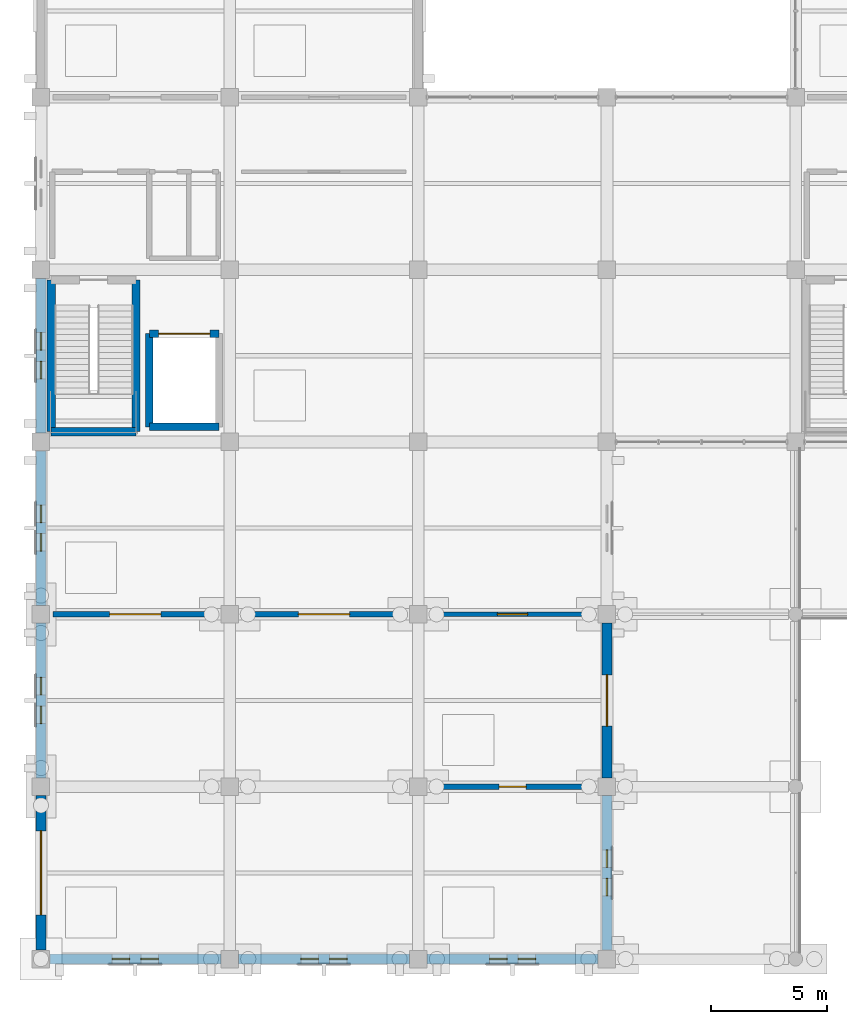
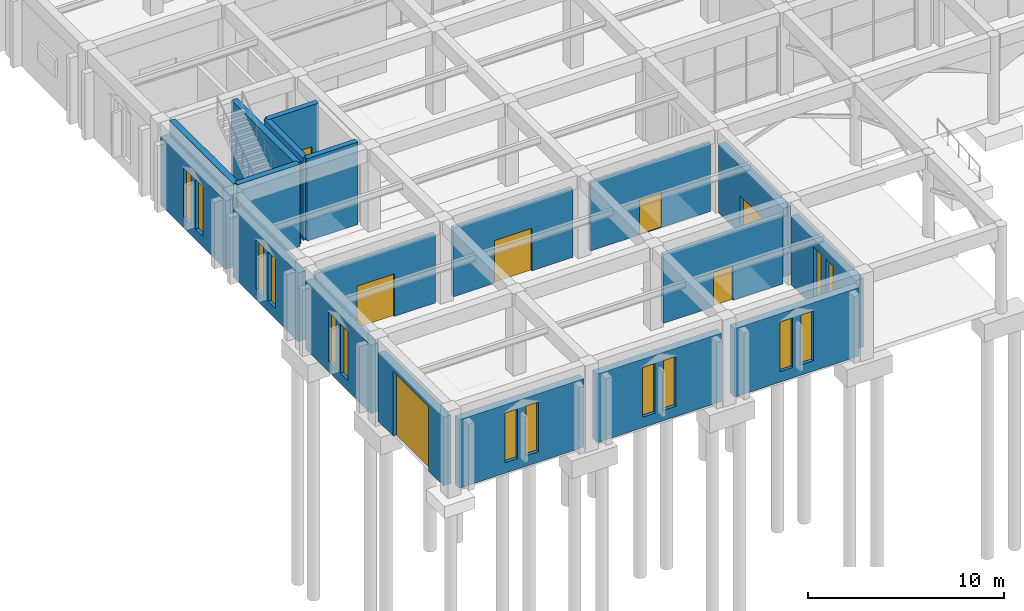
# One storey, part 121 of 140: 19 walls, 14 windows, 7 doors, 21 openings.
"""IFC4 building model written with IfcOpenShell, lengths in metres."""

from ifc_helpers import new_model, si_unit, direction, frame, frame_2d, origin, place, context, subcontext, project, spatial, rectangle, extrude, material, layer, layer_set, type_object, element, fill, save


model = new_model("IFC4")

# Units and contexts
model_context = context("Model", 3, precision=1e-05, world=origin(), true_north=direction((0.0, 1.0)))
body_context = subcontext(model_context, "Body", "Model", "MODEL_VIEW")
ifc_project = project(units=[si_unit("LENGTHUNIT", "METRE"), si_unit("AREAUNIT", "SQUARE_METRE"), si_unit("VOLUMEUNIT", "CUBIC_METRE"), si_unit("PLANEANGLEUNIT", "RADIAN"), si_unit("MASSUNIT", "GRAM", prefix="KILO")], contexts=[model_context])

# Site, building, storey
site_placement = place(None, origin())
site = spatial("IfcSite", under=ifc_project, at=site_placement, CompositionType="ELEMENT")
building_placement = place(site_placement, origin())
building = spatial("IfcBuilding", under=site, at=building_placement, Name="Cimatlan Art Gallery", CompositionType="ELEMENT")
storey_placement = place(building_placement, origin())
storey = spatial("IfcBuildingStorey", under=building, at=storey_placement, Name="L00", CompositionType="ELEMENT", Elevation=0.0)

# Walls
ifc_material_1 = material(Name="Concrete C40/50", Category="concrete")
ifc_layer_1 = layer(ifc_material_1, 0.31005859375)
ifc_layer_set_1 = layer_set([ifc_layer_1], Name="Concrete C40/50")
wall_type_1 = type_object("IfcWallType", Name="W-CORE-310", PredefinedType="SHEAR", material=ifc_layer_set_1)
wall_1_placement = place(storey_placement, frame((6.64990234375, 24.550048828125, 0.0), z_axis=(0.0, 0.0, 1.0), x_axis=(0.0, 1.0, 0.0)))
element("IfcWall", 1, at=wall_1_placement, inside=storey, type_object=wall_type_1, Name="WL-SHFT-C1-L00-LW", PredefinedType="SHEAR", context=body_context, shape_type="SweptSolid", body=[
    extrude(rectangle(XDim=4.0, YDim=0.31005859375, at=frame_2d((2.0, 0.0))), origin(), (0.0, 0.0, 1.0), 5.1298828125),
])
wall_2_placement = place(storey_placement, frame((6.64990234375, 24.550048828125, 0.0), z_axis=(0.0, 0.0, 1.0), x_axis=(1.0, 0.0, 0.0)))
element("IfcWall", 2, at=wall_2_placement, inside=storey, type_object=wall_type_1, Name="WL-SHFT-C1-L00-LS", PredefinedType="SHEAR", context=body_context, shape_type="SweptSolid", body=[
    extrude(rectangle(XDim=3.0, YDim=0.31005859375, at=frame_2d((1.5, 0.0))), origin(), (0.0, 0.0, 1.0), 5.1298828125),
])

# Wall, opening, door
wall_3_placement = place(storey_placement, frame((6.64990234375, 28.550048828125, 0.0), z_axis=(0.0, 0.0, 1.0), x_axis=(1.0, 0.0, 0.0)))
wall_3 = element("IfcWall", 3, at=wall_3_placement, inside=storey, type_object=wall_type_1, Name="WL-SHFT-C1-L00-LN", PredefinedType="SHEAR", context=body_context, shape_type="SweptSolid", body=[
    extrude(rectangle(XDim=3.0, YDim=0.31005859375, at=frame_2d((1.5, 0.0))), origin(), (0.0, 0.0, 1.0), 5.1298828125),
])
opening_1_placement = place(wall_3_placement, frame((0.39990234375, 0.0, 0.0)))
opening_1 = element("IfcOpeningElement", 4, at=opening_1_placement, cuts=wall_3, Name="Opening LD-C1-L00", PredefinedType="OPENING", context=body_context, shape_type="SweptSolid", body=[
    extrude(rectangle(XDim=2.199951171875, YDim=2.550048828125, at=frame_2d((1.10009765625, 1.27490234375))), frame((0.0, 0.1650390625, 0.0), z_axis=(0.0, -1.0, 0.0), x_axis=(1.0, 0.0, 0.0)), (0.0, 0.0, 1.0), 0.330078125),
])
ifc_material_2 = material(Name="Heavy-duty bi-parting goods lift landing door")
door_type_1 = type_object("IfcDoorType", Name="LD-GD-2200", OperationType="NOTDEFINED", PredefinedType="DOOR", material=ifc_material_2)
door_1_placement = place(opening_1_placement, origin())
door_1 = element("IfcDoor", 5, at=door_1_placement, inside=storey, type_object=door_type_1, Name="LD-GL-01-L00", OperationType="SLIDING_TO_RIGHT", OverallHeight=2.550048828125, OverallWidth=2.199951171875, PredefinedType="DOOR", context=body_context, shape_type="SweptSolid", body=[
    extrude(rectangle(XDim=2.199951171875, YDim=2.550048828125, at=frame_2d((1.10009765625, 1.27490234375))), frame((0.0, 0.02490234375, 0.0), z_axis=(0.0, -1.0, 0.0), x_axis=(1.0, 0.0, 0.0)), (0.0, 0.0, 1.0), 0.050048828125),
])
fill(opening_1, door_1)

# Walls
ifc_layer_2 = layer(ifc_material_1, 0.35009765625)
ifc_layer_set_2 = layer_set([ifc_layer_2], Name="Concrete C40/50")
wall_type_2 = type_object("IfcWallType", Name="W-CORE-350", PredefinedType="SHEAR", material=ifc_layer_set_2)
wall_4_placement = place(storey_placement, frame((2.43994140625, 24.340087890625, 0.0), z_axis=(0.0, 0.0, 1.0), x_axis=(0.0, 1.0, 0.0)))
element("IfcWall", 6, at=wall_4_placement, inside=storey, type_object=wall_type_2, Name="WL-CORE-C1-L00-SW", PredefinedType="SHEAR", context=body_context, shape_type="SweptSolid", body=[
    extrude(rectangle(XDim=6.52001953125, YDim=0.35009765625, at=frame_2d((3.260009765625, 0.0))), origin(), (0.0, 0.0, 1.0), 5.1298828125),
])
wall_5_placement = place(storey_placement, frame((2.43994140625, 24.340087890625, 0.0), z_axis=(0.0, 0.0, 1.0), x_axis=(1.0, 0.0, 0.0)))
element("IfcWall", 7, at=wall_5_placement, inside=storey, type_object=wall_type_2, Name="WL-CORE-C1-L00-SS", PredefinedType="SHEAR", context=body_context, shape_type="SweptSolid", body=[
    extrude(rectangle(XDim=3.64013671875, YDim=0.35009765625, at=frame_2d((1.820068359375, 0.0))), origin(), (0.0, 0.0, 1.0), 5.1298828125),
])
wall_6_placement = place(storey_placement, frame((6.080078125, 24.340087890625, 0.0), z_axis=(0.0, 0.0, 1.0), x_axis=(0.0, 1.0, 0.0)))
element("IfcWall", 8, at=wall_6_placement, inside=storey, type_object=wall_type_2, Name="WL-CORE-C1-L00-SE", PredefinedType="SHEAR", context=body_context, shape_type="SweptSolid", body=[
    extrude(rectangle(XDim=6.52001953125, YDim=0.35009765625, at=frame_2d((3.260009765625, 0.0))), origin(), (0.0, 0.0, 1.0), 5.1298828125),
])

# Wall, opening, door
ifc_material_3 = material(Name="Precast concrete C40/50", Category="concrete")
ifc_layer_3 = layer(ifc_material_3, 0.2451171875)
ifc_layer_set_3 = layer_set([ifc_layer_3], Name="Precast concrete C40/50")
wall_type_3 = type_object("IfcWallType", Name="W-FFL-245", PredefinedType="PARTITIONING", material=ifc_layer_set_3)
wall_7_placement = place(storey_placement, frame((2.52001953125, 16.5, 0.0), z_axis=(0.0, 0.0, 1.0), x_axis=(1.0, 0.0, 0.0)))
wall_7 = element("IfcWall", 9, at=wall_7_placement, inside=storey, type_object=wall_type_3, Name="WL-RM-L00-DCK-01", PredefinedType="PARTITIONING", context=body_context, shape_type="SweptSolid", body=[
    extrude(rectangle(XDim=7.06005859375, YDim=0.2451171875, at=frame_2d((3.530029296875, 0.0))), origin(), (0.0, 0.0, 1.0), 4.27490234375),
])
opening_2_placement = place(wall_7_placement, frame((2.429931640625, 0.0, 0.0)))
opening_2 = element("IfcOpeningElement", 10, at=opening_2_placement, cuts=wall_7, Name="Opening DI-0169", PredefinedType="OPENING", context=body_context, shape_type="SweptSolid", body=[
    extrude(rectangle(XDim=2.199951171875, YDim=2.64990234375, at=frame_2d((1.10009765625, 1.324951171875))), frame((0.0, 0.132568359375, 0.0), z_axis=(0.0, -1.0, 0.0), x_axis=(1.0, 0.0, 0.0)), (0.0, 0.0, 1.0), 0.26513671875),
])
ifc_material_4 = material(Name="Fire-resisting large-format art-store door")
door_type_2 = type_object("IfcDoorType", Name="FD-VL-2200", OperationType="NOTDEFINED", PredefinedType="DOOR", material=ifc_material_4)
door_2_placement = place(opening_2_placement, origin())
door_2 = element("IfcDoor", 11, at=door_2_placement, inside=storey, type_object=door_type_2, Name="DR-RM-L00-DCK-01", OperationType="SINGLE_SWING_LEFT", OverallHeight=2.64990234375, OverallWidth=2.199951171875, PredefinedType="DOOR", context=body_context, shape_type="SweptSolid", body=[
    extrude(rectangle(XDim=2.199951171875, YDim=2.64990234375, at=frame_2d((1.10009765625, 1.324951171875))), frame((0.0, 0.02490234375, 0.0), z_axis=(0.0, -1.0, 0.0), x_axis=(1.0, 0.0, 0.0)), (0.0, 0.0, 1.0), 0.050048828125),
])
fill(opening_2, door_2)

wall_8_placement = place(storey_placement, frame((18.719970703125, 9.10009765625, 0.0), z_axis=(0.0, 0.0, 1.0), x_axis=(1.0, 0.0, 0.0)))
wall_8 = element("IfcWall", 12, at=wall_8_placement, inside=storey, type_object=wall_type_3, Name="WL-RM-L00-FCC-01", PredefinedType="PARTITIONING", context=body_context, shape_type="SweptSolid", body=[
    extrude(rectangle(XDim=7.06005859375, YDim=0.2451171875, at=frame_2d((3.530029296875, 0.0))), origin(), (0.0, 0.0, 1.0), 4.27490234375),
])
opening_3_placement = place(wall_8_placement, frame((2.955078125, 0.0, 0.0)))
opening_3 = element("IfcOpeningElement", 13, at=opening_3_placement, cuts=wall_8, Name="Opening DI-0170", PredefinedType="OPENING", context=body_context, shape_type="SweptSolid", body=[
    extrude(rectangle(XDim=1.14990234375, YDim=2.14990234375, at=frame_2d((0.574951171875, 1.074951171875))), frame((0.0, 0.132568359375, 0.0), z_axis=(0.0, -1.0, 0.0), x_axis=(1.0, 0.0, 0.0)), (0.0, 0.0, 1.0), 0.26513671875),
])
ifc_material_5 = material(Name="Fire-resisting fire-command and plant door")
door_type_3 = type_object("IfcDoorType", Name="FD-FC-1150", OperationType="NOTDEFINED", PredefinedType="DOOR", material=ifc_material_5)
door_3_placement = place(opening_3_placement, origin())
door_3 = element("IfcDoor", 14, at=door_3_placement, inside=storey, type_object=door_type_3, Name="DR-RM-L00-FCC-01", OperationType="SINGLE_SWING_RIGHT", OverallHeight=2.14990234375, OverallWidth=1.14990234375, PredefinedType="DOOR", context=body_context, shape_type="SweptSolid", body=[
    extrude(rectangle(XDim=1.14990234375, YDim=2.14990234375, at=frame_2d((0.574951171875, 1.074951171875))), frame((0.0, 0.02490234375, 0.0), z_axis=(0.0, -1.0, 0.0), x_axis=(1.0, 0.0, 0.0)), (0.0, 0.0, 1.0), 0.050048828125),
])
fill(opening_3, door_3)

wall_9_placement = place(storey_placement, frame((10.6201171875, 16.5, 0.0), z_axis=(0.0, 0.0, 1.0), x_axis=(1.0, 0.0, 0.0)))
wall_9 = element("IfcWall", 15, at=wall_9_placement, inside=storey, type_object=wall_type_3, Name="WL-RM-L00-QRN-01", PredefinedType="PARTITIONING", context=body_context, shape_type="SweptSolid", body=[
    extrude(rectangle(XDim=7.059814453125, YDim=0.2451171875, at=frame_2d((3.52978515625, 0.0))), origin(), (0.0, 0.0, 1.0), 4.27490234375),
])
opening_4_placement = place(wall_9_placement, frame((2.429931640625, 0.0, 0.0)))
opening_4 = element("IfcOpeningElement", 16, at=opening_4_placement, cuts=wall_9, Name="Opening DI-0171", PredefinedType="OPENING", context=body_context, shape_type="SweptSolid", body=[
    extrude(rectangle(XDim=2.199951171875, YDim=2.64990234375, at=frame_2d((1.10009765625, 1.324951171875))), frame((0.0, 0.132568359375, 0.0), z_axis=(0.0, -1.0, 0.0), x_axis=(1.0, 0.0, 0.0)), (0.0, 0.0, 1.0), 0.26513671875),
])
door_4_placement = place(opening_4_placement, origin())
door_4 = element("IfcDoor", 17, at=door_4_placement, inside=storey, type_object=door_type_2, Name="DR-RM-L00-QRN-01", OperationType="SINGLE_SWING_LEFT", OverallHeight=2.64990234375, OverallWidth=2.199951171875, PredefinedType="DOOR", context=body_context, shape_type="SweptSolid", body=[
    extrude(rectangle(XDim=2.199951171875, YDim=2.64990234375, at=frame_2d((1.10009765625, 1.324951171875))), frame((0.0, 0.02490234375, 0.0), z_axis=(0.0, -1.0, 0.0), x_axis=(1.0, 0.0, 0.0)), (0.0, 0.0, 1.0), 0.050048828125),
])
fill(opening_4, door_4)

ifc_material_6 = material(Name="Acoustic gypsum and steel stud partition", Category="steel")
ifc_layer_4 = layer(ifc_material_6, 0.179931640625)
ifc_layer_set_4 = layer_set([ifc_layer_4], Name="Acoustic gypsum and steel stud partition")
wall_type_4 = type_object("IfcWallType", Name="W-STD-180", PredefinedType="PARTITIONING", material=ifc_layer_set_4)
wall_10_placement = place(storey_placement, frame((18.719970703125, 16.5, 0.0), z_axis=(0.0, 0.0, 1.0), x_axis=(1.0, 0.0, 0.0)))
wall_10 = element("IfcWall", 18, at=wall_10_placement, inside=storey, type_object=wall_type_4, Name="WL-RM-L00-CNS-SW", PredefinedType="PARTITIONING", context=body_context, shape_type="SweptSolid", body=[
    extrude(rectangle(XDim=7.06005859375, YDim=0.179931640625, at=frame_2d((3.530029296875, 0.0))), origin(), (0.0, 0.0, 1.0), 4.27490234375),
])
opening_5_placement = place(wall_10_placement, frame((2.8798828125, 0.0, 0.0)))
opening_5 = element("IfcOpeningElement", 19, at=opening_5_placement, cuts=wall_10, Name="Opening DI-0172", PredefinedType="OPENING", context=body_context, shape_type="SweptSolid", body=[
    extrude(rectangle(XDim=1.300048828125, YDim=2.199951171875, at=frame_2d((0.64990234375, 1.10009765625))), frame((0.0, 0.10009765625, 0.0), z_axis=(0.0, -1.0, 0.0), x_axis=(1.0, 0.0, 0.0)), (0.0, 0.0, 1.0), 0.199951171875),
])
ifc_material_7 = material(Name="Conservation laboratory double-leaf door")
door_type_4 = type_object("IfcDoorType", Name="DI-CN-1300", OperationType="NOTDEFINED", PredefinedType="DOOR", material=ifc_material_7)
door_5_placement = place(opening_5_placement, origin())
door_5 = element("IfcDoor", 20, at=door_5_placement, inside=storey, type_object=door_type_4, Name="DR-RM-L00-CNS-SW", OperationType="SINGLE_SWING_RIGHT", OverallHeight=2.199951171875, OverallWidth=1.300048828125, PredefinedType="DOOR", context=body_context, shape_type="SweptSolid", body=[
    extrude(rectangle(XDim=1.300048828125, YDim=2.199951171875, at=frame_2d((0.64990234375, 1.10009765625))), frame((0.0, 0.02490234375, 0.0), z_axis=(0.0, -1.0, 0.0), x_axis=(1.0, 0.0, 0.0)), (0.0, 0.0, 1.0), 0.050048828125),
])
fill(opening_5, door_5)

# Wall, openings, windows
ifc_layer_5 = layer(ifc_material_3, 0.43994140625)
ifc_layer_set_5 = layer_set([ifc_layer_5], Name="Precast concrete C40/50")
wall_type_5 = type_object("IfcWallType", Name="WL-EXT-CAN-440", PredefinedType="SOLIDWALL", material=ifc_layer_set_5)
wall_11_placement = place(storey_placement, frame((9.720947265625, 1.699951171875, 0.0), z_axis=(0.0, 0.0, 1.0), x_axis=(-1.0, 0.0, 0.0)))
wall_11 = element("IfcWall", 21, at=wall_11_placement, inside=storey, type_object=wall_type_5, Name="WL-EXT-L00-00-00-S", PredefinedType="SOLIDWALL", context=body_context, shape_type="SweptSolid", body=[
    extrude(rectangle(XDim=7.342041015625, YDim=0.43994140625, at=frame_2d((3.6708984375, 0.0))), origin(), (0.0, 0.0, 1.0), 4.27001953125),
])
opening_6_placement = place(wall_11_placement, frame((2.680908203125, 0.0, 0.64990234375)))
opening_6 = element("IfcOpeningElement", 22, at=opening_6_placement, cuts=wall_11, Name="Opening WN-0007", PredefinedType="OPENING", context=body_context, shape_type="SweptSolid", body=[
    extrude(rectangle(XDim=0.75, YDim=3.10009765625, at=frame_2d((0.375, 1.550048828125))), frame((0.0, 0.22998046875, 0.0), z_axis=(0.0, -1.0, 0.0), x_axis=(1.0, 0.0, 0.0)), (0.0, 0.0, 1.0), 0.4599609375),
])
opening_7_placement = place(wall_11_placement, frame((3.910888671875, 0.0, 0.64990234375)))
opening_7 = element("IfcOpeningElement", 23, at=opening_7_placement, cuts=wall_11, Name="Opening WN-0008", PredefinedType="OPENING", context=body_context, shape_type="SweptSolid", body=[
    extrude(rectangle(XDim=0.75, YDim=3.10009765625, at=frame_2d((0.375, 1.550048828125))), frame((0.0, 0.22998046875, 0.0), z_axis=(0.0, -1.0, 0.0), x_axis=(1.0, 0.0, 0.0)), (0.0, 0.0, 1.0), 0.4599609375),
])
ifc_material_8 = material(Name="Low-E laminated double glazing in bronze lancet frame", Category="glass")
window_type = type_object("IfcWindowType", Name="WIN-CNS-L00-0750X3100", PartitioningType="SINGLE_PANEL", PredefinedType="WINDOW", material=ifc_material_8)
window_1_placement = place(opening_6_placement, origin())
window_1 = element("IfcWindow", 24, at=window_1_placement, inside=storey, type_object=window_type, Name="WIN-0007", OverallHeight=3.10009765625, OverallWidth=0.75, PartitioningType="SINGLE_PANEL", PredefinedType="WINDOW", context=body_context, shape_type="SweptSolid", body=[
    extrude(rectangle(XDim=0.75, YDim=3.10009765625, at=frame_2d((0.375, 1.550048828125))), frame((0.0, 0.030029296875, 0.0), z_axis=(0.0, -1.0, 0.0), x_axis=(1.0, 0.0, 0.0)), (0.0, 0.0, 1.0), 0.06005859375),
])
fill(opening_6, window_1)
window_2_placement = place(opening_7_placement, origin())
window_2 = element("IfcWindow", 25, at=window_2_placement, inside=storey, type_object=window_type, Name="WIN-0008", OverallHeight=3.10009765625, OverallWidth=0.75, PartitioningType="SINGLE_PANEL", PredefinedType="WINDOW", context=body_context, shape_type="SweptSolid", body=[
    extrude(rectangle(XDim=0.75, YDim=3.10009765625, at=frame_2d((0.375, 1.550048828125))), frame((0.0, 0.030029296875, 0.0), z_axis=(0.0, -1.0, 0.0), x_axis=(1.0, 0.0, 0.0)), (0.0, 0.0, 1.0), 0.06005859375),
])
fill(opening_7, window_2)

# Wall, opening, door
wall_12_placement = place(storey_placement, frame((2.0, 2.0791015625, 0.0), z_axis=(0.0, 0.0, 1.0), x_axis=(0.0, 1.0, 0.0)))
wall_12 = element("IfcWall", 26, at=wall_12_placement, inside=storey, type_object=wall_type_5, Name="WL-EXT-L00-00-00-W", PredefinedType="SOLIDWALL", context=body_context, shape_type="SweptSolid", body=[
    extrude(rectangle(XDim=6.641845703125, YDim=0.43994140625, at=frame_2d((3.32080078125, 0.0))), origin(), (0.0, 0.0, 1.0), 4.27001953125),
])
opening_8_placement = place(wall_12_placement, frame((1.52099609375, 0.0, 0.0)))
opening_8 = element("IfcOpeningElement", 27, at=opening_8_placement, cuts=wall_12, Name="Opening D-L00-SH01", PredefinedType="OPENING", context=body_context, shape_type="SweptSolid", body=[
    extrude(rectangle(XDim=3.60009765625, YDim=4.02001953125, at=frame_2d((1.800048828125, 2.010009765625))), frame((0.0, 0.22998046875, 0.0), z_axis=(0.0, -1.0, 0.0), x_axis=(1.0, 0.0, 0.0)), (0.0, 0.0, 1.0), 0.4599609375),
])
ifc_material_9 = material(Name="Anodised bronze and laminated safety glass door", Category="glass")
door_type_5 = type_object("IfcDoorType", Name="DS-DK-3600", OperationType="NOTDEFINED", PredefinedType="DOOR", material=ifc_material_9)
door_6_placement = place(opening_8_placement, origin())
door_6 = element("IfcDoor", 28, at=door_6_placement, inside=storey, type_object=door_type_5, Name="D-L00-SH01", OperationType="ROLLINGUP", OverallHeight=4.02001953125, OverallWidth=3.60009765625, PredefinedType="DOOR", context=body_context, shape_type="SweptSolid", body=[
    extrude(rectangle(XDim=3.60009765625, YDim=4.02001953125, at=frame_2d((1.800048828125, 2.010009765625))), frame((0.0, 0.02490234375, 0.0), z_axis=(0.0, -1.0, 0.0), x_axis=(1.0, 0.0, 0.0)), (0.0, 0.0, 1.0), 0.050048828125),
])
fill(opening_8, door_6)

# Wall, openings, windows
wall_13_placement = place(storey_placement, frame((2.0, 9.47900390625, 0.0), z_axis=(0.0, 0.0, 1.0), x_axis=(0.0, 1.0, 0.0)))
wall_13 = element("IfcWall", 29, at=wall_13_placement, inside=storey, type_object=wall_type_5, Name="WL-EXT-L00-00-01-W", PredefinedType="SOLIDWALL", context=body_context, shape_type="SweptSolid", body=[
    extrude(rectangle(XDim=6.64208984375, YDim=0.43994140625, at=frame_2d((3.321044921875, 0.0))), origin(), (0.0, 0.0, 1.0), 4.27001953125),
])
opening_9_placement = place(wall_13_placement, frame((2.3310546875, 0.0, 0.64990234375)))
opening_9 = element("IfcOpeningElement", 30, at=opening_9_placement, cuts=wall_13, Name="Opening WN-0009", PredefinedType="OPENING", context=body_context, shape_type="SweptSolid", body=[
    extrude(rectangle(XDim=0.75, YDim=3.10009765625, at=frame_2d((0.375, 1.550048828125))), frame((0.0, 0.22998046875, 0.0), z_axis=(0.0, -1.0, 0.0), x_axis=(1.0, 0.0, 0.0)), (0.0, 0.0, 1.0), 0.4599609375),
])
opening_10_placement = place(wall_13_placement, frame((3.56103515625, 0.0, 0.64990234375)))
opening_10 = element("IfcOpeningElement", 31, at=opening_10_placement, cuts=wall_13, Name="Opening WN-0010", PredefinedType="OPENING", context=body_context, shape_type="SweptSolid", body=[
    extrude(rectangle(XDim=0.75, YDim=3.10009765625, at=frame_2d((0.375, 1.550048828125))), frame((0.0, 0.22998046875, 0.0), z_axis=(0.0, -1.0, 0.0), x_axis=(1.0, 0.0, 0.0)), (0.0, 0.0, 1.0), 0.4599609375),
])
window_3_placement = place(opening_9_placement, origin())
window_3 = element("IfcWindow", 32, at=window_3_placement, inside=storey, type_object=window_type, Name="WIN-0009", OverallHeight=3.10009765625, OverallWidth=0.75, PartitioningType="SINGLE_PANEL", PredefinedType="WINDOW", context=body_context, shape_type="SweptSolid", body=[
    extrude(rectangle(XDim=0.75, YDim=3.10009765625, at=frame_2d((0.375, 1.550048828125))), frame((0.0, 0.030029296875, 0.0), z_axis=(0.0, -1.0, 0.0), x_axis=(1.0, 0.0, 0.0)), (0.0, 0.0, 1.0), 0.06005859375),
])
fill(opening_9, window_3)
window_4_placement = place(opening_10_placement, origin())
window_4 = element("IfcWindow", 33, at=window_4_placement, inside=storey, type_object=window_type, Name="WIN-0010", OverallHeight=3.10009765625, OverallWidth=0.75, PartitioningType="SINGLE_PANEL", PredefinedType="WINDOW", context=body_context, shape_type="SweptSolid", body=[
    extrude(rectangle(XDim=0.75, YDim=3.10009765625, at=frame_2d((0.375, 1.550048828125))), frame((0.0, 0.030029296875, 0.0), z_axis=(0.0, -1.0, 0.0), x_axis=(1.0, 0.0, 0.0)), (0.0, 0.0, 1.0), 0.06005859375),
])
fill(opening_10, window_4)

wall_14_placement = place(storey_placement, frame((2.0, 16.87890625, 0.0), z_axis=(0.0, 0.0, 1.0), x_axis=(0.0, 1.0, 0.0)))
wall_14 = element("IfcWall", 34, at=wall_14_placement, inside=storey, type_object=wall_type_5, Name="WL-EXT-L00-00-02-W", PredefinedType="SOLIDWALL", context=body_context, shape_type="SweptSolid", body=[
    extrude(rectangle(XDim=6.64208984375, YDim=0.43994140625, at=frame_2d((3.321044921875, 0.0))), origin(), (0.0, 0.0, 1.0), 4.27001953125),
])
opening_11_placement = place(wall_14_placement, frame((2.3310546875, 0.0, 0.64990234375)))
opening_11 = element("IfcOpeningElement", 35, at=opening_11_placement, cuts=wall_14, Name="Opening WN-0011", PredefinedType="OPENING", context=body_context, shape_type="SweptSolid", body=[
    extrude(rectangle(XDim=0.75, YDim=3.10009765625, at=frame_2d((0.375, 1.550048828125))), frame((0.0, 0.22998046875, 0.0), z_axis=(0.0, -1.0, 0.0), x_axis=(1.0, 0.0, 0.0)), (0.0, 0.0, 1.0), 0.4599609375),
])
opening_12_placement = place(wall_14_placement, frame((3.56103515625, 0.0, 0.64990234375)))
opening_12 = element("IfcOpeningElement", 36, at=opening_12_placement, cuts=wall_14, Name="Opening WN-0012", PredefinedType="OPENING", context=body_context, shape_type="SweptSolid", body=[
    extrude(rectangle(XDim=0.75, YDim=3.10009765625, at=frame_2d((0.375, 1.550048828125))), frame((0.0, 0.22998046875, 0.0), z_axis=(0.0, -1.0, 0.0), x_axis=(1.0, 0.0, 0.0)), (0.0, 0.0, 1.0), 0.4599609375),
])
window_5_placement = place(opening_11_placement, origin())
window_5 = element("IfcWindow", 37, at=window_5_placement, inside=storey, type_object=window_type, Name="WIN-0011", OverallHeight=3.10009765625, OverallWidth=0.75, PartitioningType="SINGLE_PANEL", PredefinedType="WINDOW", context=body_context, shape_type="SweptSolid", body=[
    extrude(rectangle(XDim=0.75, YDim=3.10009765625, at=frame_2d((0.375, 1.550048828125))), frame((0.0, 0.030029296875, 0.0), z_axis=(0.0, -1.0, 0.0), x_axis=(1.0, 0.0, 0.0)), (0.0, 0.0, 1.0), 0.06005859375),
])
fill(opening_11, window_5)
window_6_placement = place(opening_12_placement, origin())
window_6 = element("IfcWindow", 38, at=window_6_placement, inside=storey, type_object=window_type, Name="WIN-0012", OverallHeight=3.10009765625, OverallWidth=0.75, PartitioningType="SINGLE_PANEL", PredefinedType="WINDOW", context=body_context, shape_type="SweptSolid", body=[
    extrude(rectangle(XDim=0.75, YDim=3.10009765625, at=frame_2d((0.375, 1.550048828125))), frame((0.0, 0.030029296875, 0.0), z_axis=(0.0, -1.0, 0.0), x_axis=(1.0, 0.0, 0.0)), (0.0, 0.0, 1.0), 0.06005859375),
])
fill(opening_12, window_6)

wall_15_placement = place(storey_placement, frame((2.0, 24.279052734375, 0.0), z_axis=(0.0, 0.0, 1.0), x_axis=(0.0, 1.0, 0.0)))
wall_15 = element("IfcWall", 39, at=wall_15_placement, inside=storey, type_object=wall_type_5, Name="WL-EXT-L00-00-03-W", PredefinedType="SOLIDWALL", context=body_context, shape_type="SweptSolid", body=[
    extrude(rectangle(XDim=6.641845703125, YDim=0.43994140625, at=frame_2d((3.32080078125, 0.0))), origin(), (0.0, 0.0, 1.0), 4.27001953125),
])
opening_13_placement = place(wall_15_placement, frame((2.3310546875, 0.0, 0.64990234375)))
opening_13 = element("IfcOpeningElement", 40, at=opening_13_placement, cuts=wall_15, Name="Opening WN-0013", PredefinedType="OPENING", context=body_context, shape_type="SweptSolid", body=[
    extrude(rectangle(XDim=0.75, YDim=3.10009765625, at=frame_2d((0.375, 1.550048828125))), frame((0.0, 0.22998046875, 0.0), z_axis=(0.0, -1.0, 0.0), x_axis=(1.0, 0.0, 0.0)), (0.0, 0.0, 1.0), 0.4599609375),
])
opening_14_placement = place(wall_15_placement, frame((3.56103515625, 0.0, 0.64990234375)))
opening_14 = element("IfcOpeningElement", 41, at=opening_14_placement, cuts=wall_15, Name="Opening WN-0014", PredefinedType="OPENING", context=body_context, shape_type="SweptSolid", body=[
    extrude(rectangle(XDim=0.75, YDim=3.10009765625, at=frame_2d((0.375, 1.550048828125))), frame((0.0, 0.22998046875, 0.0), z_axis=(0.0, -1.0, 0.0), x_axis=(1.0, 0.0, 0.0)), (0.0, 0.0, 1.0), 0.4599609375),
])
window_7_placement = place(opening_13_placement, origin())
window_7 = element("IfcWindow", 42, at=window_7_placement, inside=storey, type_object=window_type, Name="WIN-0013", OverallHeight=3.10009765625, OverallWidth=0.75, PartitioningType="SINGLE_PANEL", PredefinedType="WINDOW", context=body_context, shape_type="SweptSolid", body=[
    extrude(rectangle(XDim=0.75, YDim=3.10009765625, at=frame_2d((0.375, 1.550048828125))), frame((0.0, 0.030029296875, 0.0), z_axis=(0.0, -1.0, 0.0), x_axis=(1.0, 0.0, 0.0)), (0.0, 0.0, 1.0), 0.06005859375),
])
fill(opening_13, window_7)
window_8_placement = place(opening_14_placement, origin())
window_8 = element("IfcWindow", 43, at=window_8_placement, inside=storey, type_object=window_type, Name="WIN-0014", OverallHeight=3.10009765625, OverallWidth=0.75, PartitioningType="SINGLE_PANEL", PredefinedType="WINDOW", context=body_context, shape_type="SweptSolid", body=[
    extrude(rectangle(XDim=0.75, YDim=3.10009765625, at=frame_2d((0.375, 1.550048828125))), frame((0.0, 0.030029296875, 0.0), z_axis=(0.0, -1.0, 0.0), x_axis=(1.0, 0.0, 0.0)), (0.0, 0.0, 1.0), 0.06005859375),
])
fill(opening_14, window_8)

wall_16_placement = place(storey_placement, frame((17.821044921875, 1.699951171875, 0.0), z_axis=(0.0, 0.0, 1.0), x_axis=(-1.0, 0.0, 0.0)))
wall_16 = element("IfcWall", 44, at=wall_16_placement, inside=storey, type_object=wall_type_5, Name="WL-EXT-L00-01-00-S", PredefinedType="SOLIDWALL", context=body_context, shape_type="SweptSolid", body=[
    extrude(rectangle(XDim=7.342041015625, YDim=0.43994140625, at=frame_2d((3.6708984375, 0.0))), origin(), (0.0, 0.0, 1.0), 4.27001953125),
])
opening_15_placement = place(wall_16_placement, frame((2.680908203125, 0.0, 0.64990234375)))
opening_15 = element("IfcOpeningElement", 45, at=opening_15_placement, cuts=wall_16, Name="Opening WN-0023", PredefinedType="OPENING", context=body_context, shape_type="SweptSolid", body=[
    extrude(rectangle(XDim=0.75, YDim=3.10009765625, at=frame_2d((0.375, 1.550048828125))), frame((0.0, 0.22998046875, 0.0), z_axis=(0.0, -1.0, 0.0), x_axis=(1.0, 0.0, 0.0)), (0.0, 0.0, 1.0), 0.4599609375),
])
opening_16_placement = place(wall_16_placement, frame((3.910888671875, 0.0, 0.64990234375)))
opening_16 = element("IfcOpeningElement", 46, at=opening_16_placement, cuts=wall_16, Name="Opening WN-0024", PredefinedType="OPENING", context=body_context, shape_type="SweptSolid", body=[
    extrude(rectangle(XDim=0.75, YDim=3.10009765625, at=frame_2d((0.375, 1.550048828125))), frame((0.0, 0.22998046875, 0.0), z_axis=(0.0, -1.0, 0.0), x_axis=(1.0, 0.0, 0.0)), (0.0, 0.0, 1.0), 0.4599609375),
])
window_9_placement = place(opening_15_placement, origin())
window_9 = element("IfcWindow", 47, at=window_9_placement, inside=storey, type_object=window_type, Name="WIN-0023", OverallHeight=3.10009765625, OverallWidth=0.75, PartitioningType="SINGLE_PANEL", PredefinedType="WINDOW", context=body_context, shape_type="SweptSolid", body=[
    extrude(rectangle(XDim=0.75, YDim=3.10009765625, at=frame_2d((0.375, 1.550048828125))), frame((0.0, 0.030029296875, 0.0), z_axis=(0.0, -1.0, 0.0), x_axis=(1.0, 0.0, 0.0)), (0.0, 0.0, 1.0), 0.06005859375),
])
fill(opening_15, window_9)
window_10_placement = place(opening_16_placement, origin())
window_10 = element("IfcWindow", 48, at=window_10_placement, inside=storey, type_object=window_type, Name="WIN-0024", OverallHeight=3.10009765625, OverallWidth=0.75, PartitioningType="SINGLE_PANEL", PredefinedType="WINDOW", context=body_context, shape_type="SweptSolid", body=[
    extrude(rectangle(XDim=0.75, YDim=3.10009765625, at=frame_2d((0.375, 1.550048828125))), frame((0.0, 0.030029296875, 0.0), z_axis=(0.0, -1.0, 0.0), x_axis=(1.0, 0.0, 0.0)), (0.0, 0.0, 1.0), 0.06005859375),
])
fill(opening_16, window_10)

wall_17_placement = place(storey_placement, frame((25.9208984375, 1.699951171875, 0.0), z_axis=(0.0, 0.0, 1.0), x_axis=(-1.0, 0.0, 0.0)))
wall_17 = element("IfcWall", 49, at=wall_17_placement, inside=storey, type_object=wall_type_5, Name="WL-EXT-L00-02-00-S", PredefinedType="SOLIDWALL", context=body_context, shape_type="SweptSolid", body=[
    extrude(rectangle(XDim=7.341796875, YDim=0.43994140625, at=frame_2d((3.6708984375, 0.0))), origin(), (0.0, 0.0, 1.0), 4.27001953125),
])
opening_17_placement = place(wall_17_placement, frame((2.680908203125, 0.0, 0.64990234375)))
opening_17 = element("IfcOpeningElement", 50, at=opening_17_placement, cuts=wall_17, Name="Opening WN-0029", PredefinedType="OPENING", context=body_context, shape_type="SweptSolid", body=[
    extrude(rectangle(XDim=0.75, YDim=3.10009765625, at=frame_2d((0.375, 1.550048828125))), frame((0.0, 0.22998046875, 0.0), z_axis=(0.0, -1.0, 0.0), x_axis=(1.0, 0.0, 0.0)), (0.0, 0.0, 1.0), 0.4599609375),
])
opening_18_placement = place(wall_17_placement, frame((3.910888671875, 0.0, 0.64990234375)))
opening_18 = element("IfcOpeningElement", 51, at=opening_18_placement, cuts=wall_17, Name="Opening WN-0030", PredefinedType="OPENING", context=body_context, shape_type="SweptSolid", body=[
    extrude(rectangle(XDim=0.75, YDim=3.10009765625, at=frame_2d((0.375, 1.550048828125))), frame((0.0, 0.22998046875, 0.0), z_axis=(0.0, -1.0, 0.0), x_axis=(1.0, 0.0, 0.0)), (0.0, 0.0, 1.0), 0.4599609375),
])
window_11_placement = place(opening_17_placement, origin())
window_11 = element("IfcWindow", 52, at=window_11_placement, inside=storey, type_object=window_type, Name="WIN-0029", OverallHeight=3.10009765625, OverallWidth=0.75, PartitioningType="SINGLE_PANEL", PredefinedType="WINDOW", context=body_context, shape_type="SweptSolid", body=[
    extrude(rectangle(XDim=0.75, YDim=3.10009765625, at=frame_2d((0.375, 1.550048828125))), frame((0.0, 0.030029296875, 0.0), z_axis=(0.0, -1.0, 0.0), x_axis=(1.0, 0.0, 0.0)), (0.0, 0.0, 1.0), 0.06005859375),
])
fill(opening_17, window_11)
window_12_placement = place(opening_18_placement, origin())
window_12 = element("IfcWindow", 53, at=window_12_placement, inside=storey, type_object=window_type, Name="WIN-0030", OverallHeight=3.10009765625, OverallWidth=0.75, PartitioningType="SINGLE_PANEL", PredefinedType="WINDOW", context=body_context, shape_type="SweptSolid", body=[
    extrude(rectangle(XDim=0.75, YDim=3.10009765625, at=frame_2d((0.375, 1.550048828125))), frame((0.0, 0.030029296875, 0.0), z_axis=(0.0, -1.0, 0.0), x_axis=(1.0, 0.0, 0.0)), (0.0, 0.0, 1.0), 0.06005859375),
])
fill(opening_18, window_12)

wall_18_placement = place(storey_placement, frame((26.300048828125, 8.720947265625, 0.0), z_axis=(0.0, 0.0, 1.0), x_axis=(0.0, -1.0, 0.0)))
wall_18 = element("IfcWall", 54, at=wall_18_placement, inside=storey, type_object=wall_type_5, Name="WL-EXT-L00-02-00-E", PredefinedType="SOLIDWALL", context=body_context, shape_type="SweptSolid", body=[
    extrude(rectangle(XDim=6.641845703125, YDim=0.43994140625, at=frame_2d((3.32080078125, 0.0))), origin(), (0.0, 0.0, 1.0), 4.27001953125),
])
opening_19_placement = place(wall_18_placement, frame((2.3310546875, 0.0, 0.64990234375)))
opening_19 = element("IfcOpeningElement", 55, at=opening_19_placement, cuts=wall_18, Name="Opening WN-0031", PredefinedType="OPENING", context=body_context, shape_type="SweptSolid", body=[
    extrude(rectangle(XDim=0.75, YDim=3.10009765625, at=frame_2d((0.375, 1.550048828125))), frame((0.0, 0.22998046875, 0.0), z_axis=(0.0, -1.0, 0.0), x_axis=(1.0, 0.0, 0.0)), (0.0, 0.0, 1.0), 0.4599609375),
])
opening_20_placement = place(wall_18_placement, frame((3.56103515625, 0.0, 0.64990234375)))
opening_20 = element("IfcOpeningElement", 56, at=opening_20_placement, cuts=wall_18, Name="Opening WN-0032", PredefinedType="OPENING", context=body_context, shape_type="SweptSolid", body=[
    extrude(rectangle(XDim=0.75, YDim=3.10009765625, at=frame_2d((0.375, 1.550048828125))), frame((0.0, 0.22998046875, 0.0), z_axis=(0.0, -1.0, 0.0), x_axis=(1.0, 0.0, 0.0)), (0.0, 0.0, 1.0), 0.4599609375),
])
window_13_placement = place(opening_19_placement, origin())
window_13 = element("IfcWindow", 57, at=window_13_placement, inside=storey, type_object=window_type, Name="WIN-0031", OverallHeight=3.10009765625, OverallWidth=0.75, PartitioningType="SINGLE_PANEL", PredefinedType="WINDOW", context=body_context, shape_type="SweptSolid", body=[
    extrude(rectangle(XDim=0.75, YDim=3.10009765625, at=frame_2d((0.375, 1.550048828125))), frame((0.0, 0.030029296875, 0.0), z_axis=(0.0, -1.0, 0.0), x_axis=(1.0, 0.0, 0.0)), (0.0, 0.0, 1.0), 0.06005859375),
])
fill(opening_19, window_13)
window_14_placement = place(opening_20_placement, origin())
window_14 = element("IfcWindow", 58, at=window_14_placement, inside=storey, type_object=window_type, Name="WIN-0032", OverallHeight=3.10009765625, OverallWidth=0.75, PartitioningType="SINGLE_PANEL", PredefinedType="WINDOW", context=body_context, shape_type="SweptSolid", body=[
    extrude(rectangle(XDim=0.75, YDim=3.10009765625, at=frame_2d((0.375, 1.550048828125))), frame((0.0, 0.030029296875, 0.0), z_axis=(0.0, -1.0, 0.0), x_axis=(1.0, 0.0, 0.0)), (0.0, 0.0, 1.0), 0.06005859375),
])
fill(opening_20, window_14)

# Wall, opening, door
wall_19_placement = place(storey_placement, frame((26.300048828125, 16.12109375, 0.0), z_axis=(0.0, 0.0, 1.0), x_axis=(0.0, -1.0, 0.0)))
wall_19 = element("IfcWall", 59, at=wall_19_placement, inside=storey, type_object=wall_type_5, Name="WL-EXT-L00-02-01-E", PredefinedType="SOLIDWALL", context=body_context, shape_type="SweptSolid", body=[
    extrude(rectangle(XDim=6.64208984375, YDim=0.43994140625, at=frame_2d((3.321044921875, 0.0))), origin(), (0.0, 0.0, 1.0), 4.27001953125),
])
opening_21_placement = place(wall_19_placement, frame((2.220947265625, 0.0, 0.0)))
opening_21 = element("IfcOpeningElement", 60, at=opening_21_placement, cuts=wall_19, Name="Opening D-L00-E01", PredefinedType="OPENING", context=body_context, shape_type="SweptSolid", body=[
    extrude(rectangle(XDim=2.199951171875, YDim=2.39990234375, at=frame_2d((1.10009765625, 1.199951171875))), frame((0.0, 0.22998046875, 0.0), z_axis=(0.0, -1.0, 0.0), x_axis=(1.0, 0.0, 0.0)), (0.0, 0.0, 1.0), 0.4599609375),
])
door_type_6 = type_object("IfcDoorType", Name="DE-EX-2200", OperationType="NOTDEFINED", PredefinedType="DOOR", material=ifc_material_9)
door_7_placement = place(opening_21_placement, origin())
door_7 = element("IfcDoor", 61, at=door_7_placement, inside=storey, type_object=door_type_6, Name="D-L00-E01", OperationType="DOUBLE_SWING_LEFT", OverallHeight=2.39990234375, OverallWidth=2.199951171875, PredefinedType="DOOR", context=body_context, shape_type="SweptSolid", body=[
    extrude(rectangle(XDim=2.199951171875, YDim=2.39990234375, at=frame_2d((1.10009765625, 1.199951171875))), frame((0.0, 0.02490234375, 0.0), z_axis=(0.0, -1.0, 0.0), x_axis=(1.0, 0.0, 0.0)), (0.0, 0.0, 1.0), 0.050048828125),
])
fill(opening_21, door_7)

save(model, "model.ifc")
